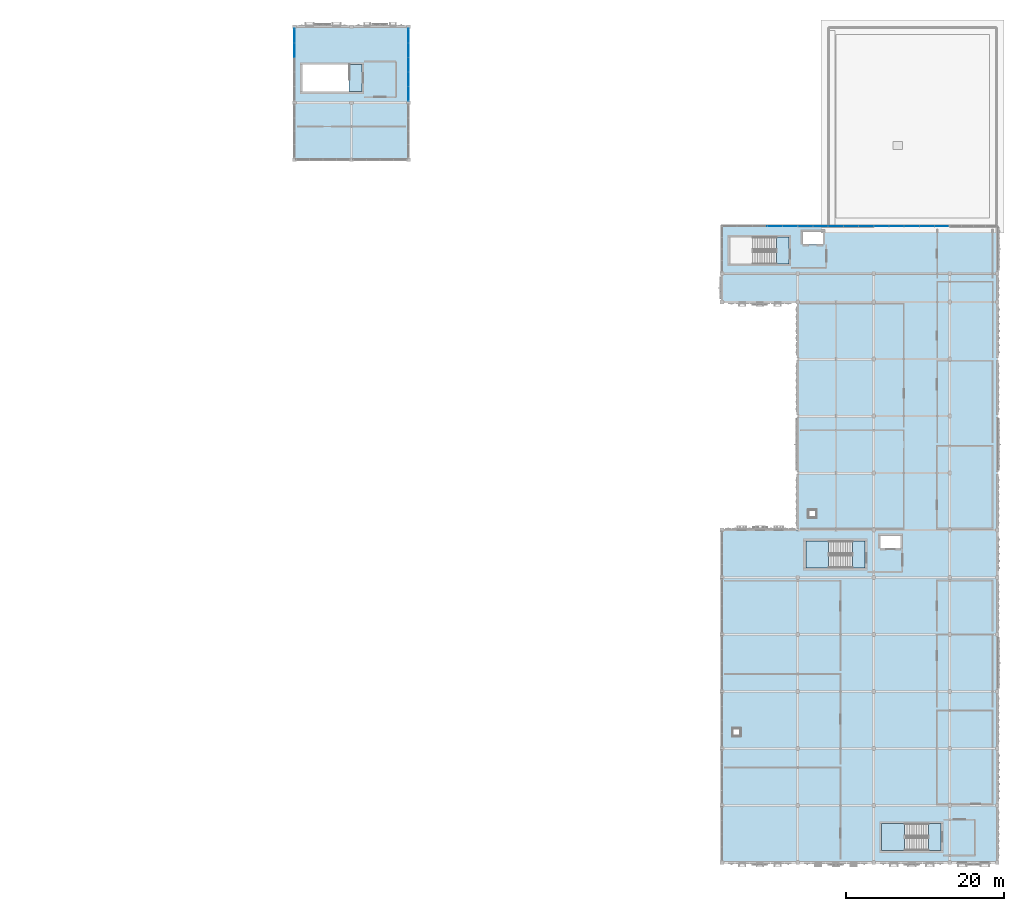
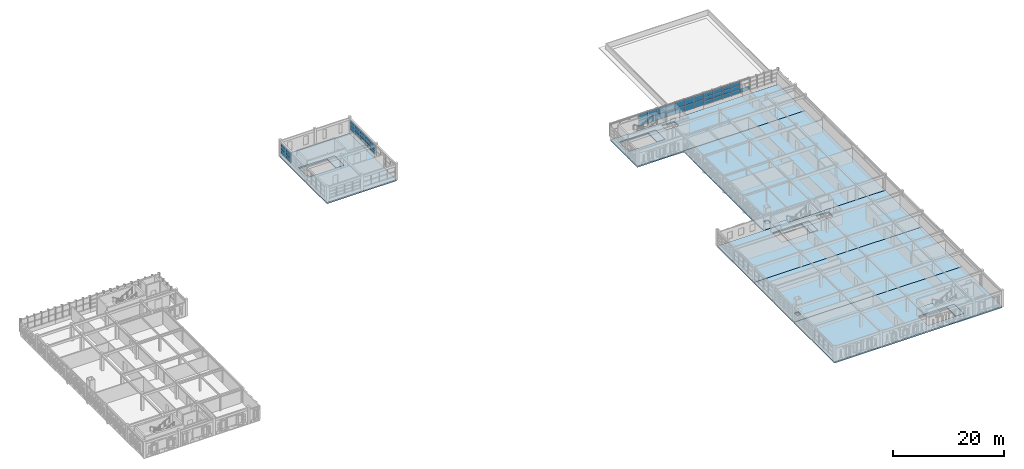
# One storey, part 22 of 53: 48 plates, 12 slabs, 7 elements without a shape of their own.
"""IFC4 building model written with IfcOpenShell, lengths in metres."""

from ifc_helpers import new_model, si_unit, direction, frame, origin, origin_2d, place, context, subcontext, project, spatial, polyline, rectangle, outline, extrude, material, layer, layer_set, type_object, element, aggregate, save


model = new_model("IFC4")

# Units and contexts
model_context = context("Model", 3, precision=1e-05, world=origin(), true_north=direction((0.0, 1.0)))
body_context = subcontext(model_context, "Body", "Model", "MODEL_VIEW")
ifc_project = project(units=[si_unit("LENGTHUNIT", "METRE"), si_unit("AREAUNIT", "SQUARE_METRE"), si_unit("VOLUMEUNIT", "CUBIC_METRE"), si_unit("PLANEANGLEUNIT", "RADIAN"), si_unit("MASSUNIT", "GRAM", prefix="KILO")], contexts=[model_context])

# Site, building, storey
site_placement = place(None, origin())
site = spatial("IfcSite", under=ifc_project, at=site_placement, CompositionType="ELEMENT")
building_placement = place(site_placement, origin())
building = spatial("IfcBuilding", under=site, at=building_placement, Name="Nzembalo Square Collegiate School", CompositionType="ELEMENT")
storey_placement = place(building_placement, frame((0.0, 0.0, 13.60009765625)))
storey = spatial("IfcBuildingStorey", under=building, at=storey_placement, Name="L03", CompositionType="ELEMENT", Elevation=13.60009765625)

# Curtain wall, plates
ifc_material_1 = material(Name="Aluminium 6060-T66", Category="aluminium")
curtain_wall_type_1 = type_object("IfcCurtainWallType", Name="CW-09", PredefinedType="USERDEFINED", material=ifc_material_1)
curtain_wall_1_placement = place(storey_placement, origin())
curtain_wall_1 = element("IfcCurtainWall", 1, at=curtain_wall_1_placement, inside=storey, type_object=curtain_wall_type_1, Name="Curtain wall CW-09 cw:L03:124", ObjectType="UNITISED", PredefinedType="USERDEFINED")
ifc_material_2 = material(Name="Laminated solar-control double glazing", Category="glass")
ifc_layer_1 = layer(ifc_material_2, 0.028076171875, Name="Laminated solar-control double glazing")
ifc_layer_set_1 = layer_set([ifc_layer_1], Name="Laminated solar-control double glazing")
plate_type_1 = type_object("IfcPlateType", Name="PN01", PredefinedType="CURTAIN_PANEL", material=ifc_layer_set_1)
plate_1_placement = place(storey_placement, frame((150.9599609375, 88.800048828125, 0.85400390625), z_axis=(0.0, 0.0, 1.0), x_axis=(1.0, 0.0, 0.0)))
plate_1 = element("IfcPlate", 2, at=plate_1_placement, type_object=plate_type_1, Name="PN01 glazed panel 1-1", PredefinedType="CURTAIN_PANEL", context=body_context, shape_type="SweptSolid", body=[
    extrude(rectangle(XDim=1.912109375, YDim=0.028076171875, at=origin_2d()), origin(), (0.0, 0.0, 1.0), 0.853271484375),
])
plate_2_placement = place(storey_placement, frame((152.8798828125, 88.800048828125, 0.85400390625), z_axis=(0.0, 0.0, 1.0), x_axis=(1.0, 0.0, 0.0)))
plate_2 = element("IfcPlate", 3, at=plate_2_placement, type_object=plate_type_1, Name="PN01 glazed panel 1-2", PredefinedType="CURTAIN_PANEL", context=body_context, shape_type="SweptSolid", body=[
    extrude(rectangle(XDim=1.912109375, YDim=0.028076171875, at=origin_2d()), origin(), (0.0, 0.0, 1.0), 0.853271484375),
])
plate_3_placement = place(storey_placement, frame((154.800048828125, 88.800048828125, 0.85400390625), z_axis=(0.0, 0.0, 1.0), x_axis=(1.0, 0.0, 0.0)))
plate_3 = element("IfcPlate", 4, at=plate_3_placement, type_object=plate_type_1, Name="PN01 glazed panel 1-3", PredefinedType="CURTAIN_PANEL", context=body_context, shape_type="SweptSolid", body=[
    extrude(rectangle(XDim=1.912109375, YDim=0.028076171875, at=origin_2d()), origin(), (0.0, 0.0, 1.0), 0.853271484375),
])
plate_4_placement = place(storey_placement, frame((156.719970703125, 88.800048828125, 0.85400390625), z_axis=(0.0, 0.0, 1.0), x_axis=(1.0, 0.0, 0.0)))
plate_4 = element("IfcPlate", 5, at=plate_4_placement, type_object=plate_type_1, Name="PN01 glazed panel 1-4", PredefinedType="CURTAIN_PANEL", context=body_context, shape_type="SweptSolid", body=[
    extrude(rectangle(XDim=1.912109375, YDim=0.028076171875, at=origin_2d()), origin(), (0.0, 0.0, 1.0), 0.853271484375),
])
plate_5_placement = place(storey_placement, frame((158.639892578125, 88.800048828125, 0.85400390625), z_axis=(0.0, 0.0, 1.0), x_axis=(1.0, 0.0, 0.0)))
plate_5 = element("IfcPlate", 6, at=plate_5_placement, type_object=plate_type_1, Name="PN01 glazed panel 1-5", PredefinedType="CURTAIN_PANEL", context=body_context, shape_type="SweptSolid", body=[
    extrude(rectangle(XDim=1.912109375, YDim=0.028076171875, at=origin_2d()), origin(), (0.0, 0.0, 1.0), 0.853271484375),
])
plate_6_placement = place(storey_placement, frame((150.9599609375, 88.800048828125, 1.71533203125), z_axis=(0.0, 0.0, 1.0), x_axis=(1.0, 0.0, 0.0)))
plate_6 = element("IfcPlate", 7, at=plate_6_placement, type_object=plate_type_1, Name="PN01 glazed panel 2-1", PredefinedType="CURTAIN_PANEL", context=body_context, shape_type="SweptSolid", body=[
    extrude(rectangle(XDim=1.912109375, YDim=0.028076171875, at=origin_2d()), origin(), (0.0, 0.0, 1.0), 0.853271484375),
])
plate_7_placement = place(storey_placement, frame((152.8798828125, 88.800048828125, 1.71533203125), z_axis=(0.0, 0.0, 1.0), x_axis=(1.0, 0.0, 0.0)))
plate_7 = element("IfcPlate", 8, at=plate_7_placement, type_object=plate_type_1, Name="PN01 glazed panel 2-2", PredefinedType="CURTAIN_PANEL", context=body_context, shape_type="SweptSolid", body=[
    extrude(rectangle(XDim=1.912109375, YDim=0.028076171875, at=origin_2d()), origin(), (0.0, 0.0, 1.0), 0.853271484375),
])
plate_8_placement = place(storey_placement, frame((154.800048828125, 88.800048828125, 1.71533203125), z_axis=(0.0, 0.0, 1.0), x_axis=(1.0, 0.0, 0.0)))
plate_8 = element("IfcPlate", 9, at=plate_8_placement, type_object=plate_type_1, Name="PN01 glazed panel 2-3", PredefinedType="CURTAIN_PANEL", context=body_context, shape_type="SweptSolid", body=[
    extrude(rectangle(XDim=1.912109375, YDim=0.028076171875, at=origin_2d()), origin(), (0.0, 0.0, 1.0), 0.853271484375),
])
plate_9_placement = place(storey_placement, frame((156.719970703125, 88.800048828125, 1.71533203125), z_axis=(0.0, 0.0, 1.0), x_axis=(1.0, 0.0, 0.0)))
plate_9 = element("IfcPlate", 10, at=plate_9_placement, type_object=plate_type_1, Name="PN01 glazed panel 2-4", PredefinedType="CURTAIN_PANEL", context=body_context, shape_type="SweptSolid", body=[
    extrude(rectangle(XDim=1.912109375, YDim=0.028076171875, at=origin_2d()), origin(), (0.0, 0.0, 1.0), 0.853271484375),
])
plate_10_placement = place(storey_placement, frame((150.9599609375, 88.800048828125, 2.57666015625), z_axis=(0.0, 0.0, 1.0), x_axis=(1.0, 0.0, 0.0)))
plate_10 = element("IfcPlate", 11, at=plate_10_placement, type_object=plate_type_1, Name="PN01 glazed panel 3-1", PredefinedType="CURTAIN_PANEL", context=body_context, shape_type="SweptSolid", body=[
    extrude(rectangle(XDim=1.912109375, YDim=0.028076171875, at=origin_2d()), origin(), (0.0, 0.0, 1.0), 0.853271484375),
])
plate_11_placement = place(storey_placement, frame((152.8798828125, 88.800048828125, 2.57666015625), z_axis=(0.0, 0.0, 1.0), x_axis=(1.0, 0.0, 0.0)))
plate_11 = element("IfcPlate", 12, at=plate_11_placement, type_object=plate_type_1, Name="PN01 glazed panel 3-2", PredefinedType="CURTAIN_PANEL", context=body_context, shape_type="SweptSolid", body=[
    extrude(rectangle(XDim=1.912109375, YDim=0.028076171875, at=origin_2d()), origin(), (0.0, 0.0, 1.0), 0.853271484375),
])
plate_12_placement = place(storey_placement, frame((154.800048828125, 88.800048828125, 2.57666015625), z_axis=(0.0, 0.0, 1.0), x_axis=(1.0, 0.0, 0.0)))
plate_12 = element("IfcPlate", 13, at=plate_12_placement, type_object=plate_type_1, Name="PN01 glazed panel 3-3", PredefinedType="CURTAIN_PANEL", context=body_context, shape_type="SweptSolid", body=[
    extrude(rectangle(XDim=1.912109375, YDim=0.028076171875, at=origin_2d()), origin(), (0.0, 0.0, 1.0), 0.853271484375),
])
plate_13_placement = place(storey_placement, frame((156.719970703125, 88.800048828125, 2.57666015625), z_axis=(0.0, 0.0, 1.0), x_axis=(1.0, 0.0, 0.0)))
plate_13 = element("IfcPlate", 14, at=plate_13_placement, type_object=plate_type_1, Name="PN01 glazed panel 3-4", PredefinedType="CURTAIN_PANEL", context=body_context, shape_type="SweptSolid", body=[
    extrude(rectangle(XDim=1.912109375, YDim=0.028076171875, at=origin_2d()), origin(), (0.0, 0.0, 1.0), 0.853271484375),
])
aggregate(curtain_wall_1, [plate_1, plate_2, plate_3, plate_4, plate_5, plate_6, plate_7, plate_8, plate_9, plate_10, plate_11, plate_12, plate_13])

curtain_wall_2_placement = place(storey_placement, origin())
curtain_wall_2 = element("IfcCurtainWall", 15, at=curtain_wall_2_placement, inside=storey, type_object=curtain_wall_type_1, Name="Curtain wall CW-09 cw:L03:132", ObjectType="UNITISED", PredefinedType="USERDEFINED")
plate_14_placement = place(storey_placement, frame((91.199951171875, 105.5537109375, 0.85400390625), z_axis=(0.0, 0.0, 1.0), x_axis=(0.0, 1.0, 0.0)))
plate_14 = element("IfcPlate", 16, at=plate_14_placement, type_object=plate_type_1, Name="PN01 glazed panel 1-1", PredefinedType="CURTAIN_PANEL", context=body_context, shape_type="SweptSolid", body=[
    extrude(rectangle(XDim=1.815185546875, YDim=0.028076171875, at=origin_2d()), origin(), (0.0, 0.0, 1.0), 0.6982421875),
])
plate_15_placement = place(storey_placement, frame((91.199951171875, 107.376708984375, 0.85400390625), z_axis=(0.0, 0.0, 1.0), x_axis=(0.0, 1.0, 0.0)))
plate_15 = element("IfcPlate", 17, at=plate_15_placement, type_object=plate_type_1, Name="PN01 glazed panel 1-2", PredefinedType="CURTAIN_PANEL", context=body_context, shape_type="SweptSolid", body=[
    extrude(rectangle(XDim=1.815185546875, YDim=0.028076171875, at=origin_2d()), origin(), (0.0, 0.0, 1.0), 0.6982421875),
])
plate_16_placement = place(storey_placement, frame((91.199951171875, 109.199951171875, 0.85400390625), z_axis=(0.0, 0.0, 1.0), x_axis=(0.0, 1.0, 0.0)))
plate_16 = element("IfcPlate", 18, at=plate_16_placement, type_object=plate_type_1, Name="PN01 glazed panel 1-3", PredefinedType="CURTAIN_PANEL", context=body_context, shape_type="SweptSolid", body=[
    extrude(rectangle(XDim=1.815185546875, YDim=0.028076171875, at=origin_2d()), origin(), (0.0, 0.0, 1.0), 0.6982421875),
])
plate_17_placement = place(storey_placement, frame((91.199951171875, 111.023193359375, 0.85400390625), z_axis=(0.0, 0.0, 1.0), x_axis=(0.0, 1.0, 0.0)))
plate_17 = element("IfcPlate", 19, at=plate_17_placement, type_object=plate_type_1, Name="PN01 glazed panel 1-4", PredefinedType="CURTAIN_PANEL", context=body_context, shape_type="SweptSolid", body=[
    extrude(rectangle(XDim=1.815185546875, YDim=0.028076171875, at=origin_2d()), origin(), (0.0, 0.0, 1.0), 0.6982421875),
])
plate_18_placement = place(storey_placement, frame((91.199951171875, 112.846435546875, 0.85400390625), z_axis=(0.0, 0.0, 1.0), x_axis=(0.0, 1.0, 0.0)))
plate_18 = element("IfcPlate", 20, at=plate_18_placement, type_object=plate_type_1, Name="PN01 glazed panel 1-5", PredefinedType="CURTAIN_PANEL", context=body_context, shape_type="SweptSolid", body=[
    extrude(rectangle(XDim=1.815185546875, YDim=0.028076171875, at=origin_2d()), origin(), (0.0, 0.0, 1.0), 0.6982421875),
])
plate_19_placement = place(storey_placement, frame((91.199951171875, 105.5537109375, 1.560302734375), z_axis=(0.0, 0.0, 1.0), x_axis=(0.0, 1.0, 0.0)))
plate_19 = element("IfcPlate", 21, at=plate_19_placement, type_object=plate_type_1, Name="PN01 glazed panel 2-1", PredefinedType="CURTAIN_PANEL", context=body_context, shape_type="SweptSolid", body=[
    extrude(rectangle(XDim=1.815185546875, YDim=0.028076171875, at=origin_2d()), origin(), (0.0, 0.0, 1.0), 0.6982421875),
])
plate_20_placement = place(storey_placement, frame((91.199951171875, 107.376708984375, 1.560302734375), z_axis=(0.0, 0.0, 1.0), x_axis=(0.0, 1.0, 0.0)))
plate_20 = element("IfcPlate", 22, at=plate_20_placement, type_object=plate_type_1, Name="PN01 glazed panel 2-2", PredefinedType="CURTAIN_PANEL", context=body_context, shape_type="SweptSolid", body=[
    extrude(rectangle(XDim=1.815185546875, YDim=0.028076171875, at=origin_2d()), origin(), (0.0, 0.0, 1.0), 0.6982421875),
])
plate_21_placement = place(storey_placement, frame((91.199951171875, 109.199951171875, 1.560302734375), z_axis=(0.0, 0.0, 1.0), x_axis=(0.0, 1.0, 0.0)))
plate_21 = element("IfcPlate", 23, at=plate_21_placement, type_object=plate_type_1, Name="PN01 glazed panel 2-3", PredefinedType="CURTAIN_PANEL", context=body_context, shape_type="SweptSolid", body=[
    extrude(rectangle(XDim=1.815185546875, YDim=0.028076171875, at=origin_2d()), origin(), (0.0, 0.0, 1.0), 0.6982421875),
])
plate_22_placement = place(storey_placement, frame((91.199951171875, 111.023193359375, 1.560302734375), z_axis=(0.0, 0.0, 1.0), x_axis=(0.0, 1.0, 0.0)))
plate_22 = element("IfcPlate", 24, at=plate_22_placement, type_object=plate_type_1, Name="PN01 glazed panel 2-4", PredefinedType="CURTAIN_PANEL", context=body_context, shape_type="SweptSolid", body=[
    extrude(rectangle(XDim=1.815185546875, YDim=0.028076171875, at=origin_2d()), origin(), (0.0, 0.0, 1.0), 0.6982421875),
])
plate_23_placement = place(storey_placement, frame((91.199951171875, 112.846435546875, 1.560302734375), z_axis=(0.0, 0.0, 1.0), x_axis=(0.0, 1.0, 0.0)))
plate_23 = element("IfcPlate", 25, at=plate_23_placement, type_object=plate_type_1, Name="PN01 glazed panel 2-5", PredefinedType="CURTAIN_PANEL", context=body_context, shape_type="SweptSolid", body=[
    extrude(rectangle(XDim=1.815185546875, YDim=0.028076171875, at=origin_2d()), origin(), (0.0, 0.0, 1.0), 0.6982421875),
])
plate_24_placement = place(storey_placement, frame((91.199951171875, 105.5537109375, 2.2666015625), z_axis=(0.0, 0.0, 1.0), x_axis=(0.0, 1.0, 0.0)))
plate_24 = element("IfcPlate", 26, at=plate_24_placement, type_object=plate_type_1, Name="PN01 glazed panel 3-1", PredefinedType="CURTAIN_PANEL", context=body_context, shape_type="SweptSolid", body=[
    extrude(rectangle(XDim=1.815185546875, YDim=0.028076171875, at=origin_2d()), origin(), (0.0, 0.0, 1.0), 0.6982421875),
])
plate_25_placement = place(storey_placement, frame((91.199951171875, 107.376708984375, 2.2666015625), z_axis=(0.0, 0.0, 1.0), x_axis=(0.0, 1.0, 0.0)))
plate_25 = element("IfcPlate", 27, at=plate_25_placement, type_object=plate_type_1, Name="PN01 glazed panel 3-2", PredefinedType="CURTAIN_PANEL", context=body_context, shape_type="SweptSolid", body=[
    extrude(rectangle(XDim=1.815185546875, YDim=0.028076171875, at=origin_2d()), origin(), (0.0, 0.0, 1.0), 0.6982421875),
])
plate_26_placement = place(storey_placement, frame((91.199951171875, 109.199951171875, 2.2666015625), z_axis=(0.0, 0.0, 1.0), x_axis=(0.0, 1.0, 0.0)))
plate_26 = element("IfcPlate", 28, at=plate_26_placement, type_object=plate_type_1, Name="PN01 glazed panel 3-3", PredefinedType="CURTAIN_PANEL", context=body_context, shape_type="SweptSolid", body=[
    extrude(rectangle(XDim=1.815185546875, YDim=0.028076171875, at=origin_2d()), origin(), (0.0, 0.0, 1.0), 0.6982421875),
])
plate_27_placement = place(storey_placement, frame((91.199951171875, 111.023193359375, 2.2666015625), z_axis=(0.0, 0.0, 1.0), x_axis=(0.0, 1.0, 0.0)))
plate_27 = element("IfcPlate", 29, at=plate_27_placement, type_object=plate_type_1, Name="PN01 glazed panel 3-4", PredefinedType="CURTAIN_PANEL", context=body_context, shape_type="SweptSolid", body=[
    extrude(rectangle(XDim=1.815185546875, YDim=0.028076171875, at=origin_2d()), origin(), (0.0, 0.0, 1.0), 0.6982421875),
])
plate_28_placement = place(storey_placement, frame((91.199951171875, 112.846435546875, 2.2666015625), z_axis=(0.0, 0.0, 1.0), x_axis=(0.0, 1.0, 0.0)))
plate_28 = element("IfcPlate", 30, at=plate_28_placement, type_object=plate_type_1, Name="PN01 glazed panel 3-5", PredefinedType="CURTAIN_PANEL", context=body_context, shape_type="SweptSolid", body=[
    extrude(rectangle(XDim=1.815185546875, YDim=0.028076171875, at=origin_2d()), origin(), (0.0, 0.0, 1.0), 0.6982421875),
])
aggregate(curtain_wall_2, [plate_14, plate_15, plate_16, plate_17, plate_18, plate_19, plate_20, plate_21, plate_22, plate_23, plate_24, plate_25, plate_26, plate_27, plate_28])

curtain_wall_3_placement = place(storey_placement, origin())
curtain_wall_3 = element("IfcCurtainWall", 31, at=curtain_wall_3_placement, inside=storey, type_object=curtain_wall_type_1, Name="Curtain wall CW-09 cw:L03:136", ObjectType="UNITISED", PredefinedType="USERDEFINED")
plate_29_placement = place(storey_placement, frame((76.800048828125, 111.023193359375, 0.85400390625), z_axis=(0.0, 0.0, 1.0), x_axis=(0.0, 1.0, 0.0)))
plate_29 = element("IfcPlate", 32, at=plate_29_placement, type_object=plate_type_1, Name="PN01 glazed panel 1-4", PredefinedType="CURTAIN_PANEL", context=body_context, shape_type="SweptSolid", body=[
    extrude(rectangle(XDim=1.815185546875, YDim=0.028076171875, at=origin_2d()), origin(), (0.0, 0.0, 1.0), 0.6982421875),
])
plate_30_placement = place(storey_placement, frame((76.800048828125, 112.846435546875, 0.85400390625), z_axis=(0.0, 0.0, 1.0), x_axis=(0.0, 1.0, 0.0)))
plate_30 = element("IfcPlate", 33, at=plate_30_placement, type_object=plate_type_1, Name="PN01 glazed panel 1-5", PredefinedType="CURTAIN_PANEL", context=body_context, shape_type="SweptSolid", body=[
    extrude(rectangle(XDim=1.815185546875, YDim=0.028076171875, at=origin_2d()), origin(), (0.0, 0.0, 1.0), 0.6982421875),
])
plate_31_placement = place(storey_placement, frame((76.800048828125, 111.023193359375, 1.560302734375), z_axis=(0.0, 0.0, 1.0), x_axis=(0.0, 1.0, 0.0)))
plate_31 = element("IfcPlate", 34, at=plate_31_placement, type_object=plate_type_1, Name="PN01 glazed panel 2-4", PredefinedType="CURTAIN_PANEL", context=body_context, shape_type="SweptSolid", body=[
    extrude(rectangle(XDim=1.815185546875, YDim=0.028076171875, at=origin_2d()), origin(), (0.0, 0.0, 1.0), 0.6982421875),
])
plate_32_placement = place(storey_placement, frame((76.800048828125, 112.846435546875, 1.560302734375), z_axis=(0.0, 0.0, 1.0), x_axis=(0.0, 1.0, 0.0)))
plate_32 = element("IfcPlate", 35, at=plate_32_placement, type_object=plate_type_1, Name="PN01 glazed panel 2-5", PredefinedType="CURTAIN_PANEL", context=body_context, shape_type="SweptSolid", body=[
    extrude(rectangle(XDim=1.815185546875, YDim=0.028076171875, at=origin_2d()), origin(), (0.0, 0.0, 1.0), 0.6982421875),
])
plate_33_placement = place(storey_placement, frame((76.800048828125, 111.023193359375, 2.2666015625), z_axis=(0.0, 0.0, 1.0), x_axis=(0.0, 1.0, 0.0)))
plate_33 = element("IfcPlate", 36, at=plate_33_placement, type_object=plate_type_1, Name="PN01 glazed panel 3-4", PredefinedType="CURTAIN_PANEL", context=body_context, shape_type="SweptSolid", body=[
    extrude(rectangle(XDim=1.815185546875, YDim=0.028076171875, at=origin_2d()), origin(), (0.0, 0.0, 1.0), 0.6982421875),
])
plate_34_placement = place(storey_placement, frame((76.800048828125, 112.846435546875, 2.2666015625), z_axis=(0.0, 0.0, 1.0), x_axis=(0.0, 1.0, 0.0)))
plate_34 = element("IfcPlate", 37, at=plate_34_placement, type_object=plate_type_1, Name="PN01 glazed panel 3-5", PredefinedType="CURTAIN_PANEL", context=body_context, shape_type="SweptSolid", body=[
    extrude(rectangle(XDim=1.815185546875, YDim=0.028076171875, at=origin_2d()), origin(), (0.0, 0.0, 1.0), 0.6982421875),
])
aggregate(curtain_wall_3, [plate_29, plate_30, plate_31, plate_32, plate_33, plate_34])

ifc_material_3 = material(Name="Aluminium 6060-T66", Category="aluminium")
curtain_wall_type_2 = type_object("IfcCurtainWallType", Name="CW-11", PredefinedType="USERDEFINED", material=ifc_material_3)
curtain_wall_4_placement = place(storey_placement, origin())
curtain_wall_4 = element("IfcCurtainWall", 38, at=curtain_wall_4_placement, inside=storey, type_object=curtain_wall_type_2, Name="Curtain wall CW-11 cw:L03:122", ObjectType="LANCET", PredefinedType="USERDEFINED")
ifc_material_4 = material(Name="Acoustic laminated solar-control glazing", Category="glass")
ifc_layer_2 = layer(ifc_material_4, 0.031982421875, Name="Acoustic laminated solar-control glazing")
ifc_layer_set_2 = layer_set([ifc_layer_2], Name="Acoustic laminated solar-control glazing")
plate_type_2 = type_object("IfcPlateType", Name="PN02", PredefinedType="CURTAIN_PANEL", material=ifc_layer_set_2)
plate_35_placement = place(storey_placement, frame((137.52001953125, 88.800048828125, 0.85400390625), z_axis=(0.0, 0.0, 1.0), x_axis=(1.0, 0.0, 0.0)))
plate_35 = element("IfcPlate", 39, at=plate_35_placement, type_object=plate_type_2, Name="PN02 glazed panel 1-4", PredefinedType="CURTAIN_PANEL", context=body_context, shape_type="SweptSolid", body=[
    extrude(rectangle(XDim=1.912109375, YDim=0.031982421875, at=origin_2d()), origin(), (0.0, 0.0, 1.0), 1.283935546875),
])
plate_36_placement = place(storey_placement, frame((139.43994140625, 88.800048828125, 0.85400390625), z_axis=(0.0, 0.0, 1.0), x_axis=(1.0, 0.0, 0.0)))
plate_36 = element("IfcPlate", 40, at=plate_36_placement, type_object=plate_type_2, Name="PN02 glazed panel 1-5", PredefinedType="CURTAIN_PANEL", context=body_context, shape_type="SweptSolid", body=[
    extrude(rectangle(XDim=1.912109375, YDim=0.031982421875, at=origin_2d()), origin(), (0.0, 0.0, 1.0), 1.283935546875),
])
plate_37_placement = place(storey_placement, frame((137.52001953125, 88.800048828125, 2.14599609375), z_axis=(0.0, 0.0, 1.0), x_axis=(1.0, 0.0, 0.0)))
plate_37 = element("IfcPlate", 41, at=plate_37_placement, type_object=plate_type_2, Name="PN02 glazed panel 2-4", PredefinedType="CURTAIN_PANEL", context=body_context, shape_type="SweptSolid", body=[
    extrude(rectangle(XDim=1.912109375, YDim=0.031982421875, at=origin_2d()), origin(), (0.0, 0.0, 1.0), 1.283935546875),
])
plate_38_placement = place(storey_placement, frame((139.43994140625, 88.800048828125, 2.14599609375), z_axis=(0.0, 0.0, 1.0), x_axis=(1.0, 0.0, 0.0)))
plate_38 = element("IfcPlate", 42, at=plate_38_placement, type_object=plate_type_2, Name="PN02 glazed panel 2-5", PredefinedType="CURTAIN_PANEL", context=body_context, shape_type="SweptSolid", body=[
    extrude(rectangle(XDim=1.912109375, YDim=0.031982421875, at=origin_2d()), origin(), (0.0, 0.0, 1.0), 1.283935546875),
])
aggregate(curtain_wall_4, [plate_35, plate_36, plate_37, plate_38])

ifc_material_5 = material(Name="Aluminium 6060-T66", Category="aluminium")
curtain_wall_type_3 = type_object("IfcCurtainWallType", Name="CW-12", PredefinedType="USERDEFINED", material=ifc_material_5)
curtain_wall_5_placement = place(storey_placement, origin())
curtain_wall_5 = element("IfcCurtainWall", 43, at=curtain_wall_5_placement, inside=storey, type_object=curtain_wall_type_3, Name="Curtain wall CW-12 cw:L03:123", ObjectType="LANCET", PredefinedType="USERDEFINED")
plate_39_placement = place(storey_placement, frame((141.360107421875, 88.800048828125, 0.85400390625), z_axis=(0.0, 0.0, 1.0), x_axis=(1.0, 0.0, 0.0)))
plate_39 = element("IfcPlate", 44, at=plate_39_placement, type_object=plate_type_2, Name="PN02 glazed panel 1-1", PredefinedType="CURTAIN_PANEL", context=body_context, shape_type="SweptSolid", body=[
    extrude(rectangle(XDim=1.912109375, YDim=0.031982421875, at=origin_2d()), origin(), (0.0, 0.0, 1.0), 1.283935546875),
])
plate_40_placement = place(storey_placement, frame((143.280029296875, 88.800048828125, 0.85400390625), z_axis=(0.0, 0.0, 1.0), x_axis=(1.0, 0.0, 0.0)))
plate_40 = element("IfcPlate", 45, at=plate_40_placement, type_object=plate_type_2, Name="PN02 glazed panel 1-2", PredefinedType="CURTAIN_PANEL", context=body_context, shape_type="SweptSolid", body=[
    extrude(rectangle(XDim=1.912109375, YDim=0.031982421875, at=origin_2d()), origin(), (0.0, 0.0, 1.0), 1.283935546875),
])
plate_41_placement = place(storey_placement, frame((145.199951171875, 88.800048828125, 0.85400390625), z_axis=(0.0, 0.0, 1.0), x_axis=(1.0, 0.0, 0.0)))
plate_41 = element("IfcPlate", 46, at=plate_41_placement, type_object=plate_type_2, Name="PN02 glazed panel 1-3", PredefinedType="CURTAIN_PANEL", context=body_context, shape_type="SweptSolid", body=[
    extrude(rectangle(XDim=1.912109375, YDim=0.031982421875, at=origin_2d()), origin(), (0.0, 0.0, 1.0), 1.283935546875),
])
plate_42_placement = place(storey_placement, frame((147.1201171875, 88.800048828125, 0.85400390625), z_axis=(0.0, 0.0, 1.0), x_axis=(1.0, 0.0, 0.0)))
plate_42 = element("IfcPlate", 47, at=plate_42_placement, type_object=plate_type_2, Name="PN02 glazed panel 1-4", PredefinedType="CURTAIN_PANEL", context=body_context, shape_type="SweptSolid", body=[
    extrude(rectangle(XDim=1.912109375, YDim=0.031982421875, at=origin_2d()), origin(), (0.0, 0.0, 1.0), 1.283935546875),
])
plate_43_placement = place(storey_placement, frame((149.0400390625, 88.800048828125, 0.85400390625), z_axis=(0.0, 0.0, 1.0), x_axis=(1.0, 0.0, 0.0)))
plate_43 = element("IfcPlate", 48, at=plate_43_placement, type_object=plate_type_2, Name="PN02 glazed panel 1-5", PredefinedType="CURTAIN_PANEL", context=body_context, shape_type="SweptSolid", body=[
    extrude(rectangle(XDim=1.912109375, YDim=0.031982421875, at=origin_2d()), origin(), (0.0, 0.0, 1.0), 1.283935546875),
])
plate_44_placement = place(storey_placement, frame((141.360107421875, 88.800048828125, 2.14599609375), z_axis=(0.0, 0.0, 1.0), x_axis=(1.0, 0.0, 0.0)))
plate_44 = element("IfcPlate", 49, at=plate_44_placement, type_object=plate_type_2, Name="PN02 glazed panel 2-1", PredefinedType="CURTAIN_PANEL", context=body_context, shape_type="SweptSolid", body=[
    extrude(rectangle(XDim=1.912109375, YDim=0.031982421875, at=origin_2d()), origin(), (0.0, 0.0, 1.0), 1.283935546875),
])
plate_45_placement = place(storey_placement, frame((143.280029296875, 88.800048828125, 2.14599609375), z_axis=(0.0, 0.0, 1.0), x_axis=(1.0, 0.0, 0.0)))
plate_45 = element("IfcPlate", 50, at=plate_45_placement, type_object=plate_type_2, Name="PN02 glazed panel 2-2", PredefinedType="CURTAIN_PANEL", context=body_context, shape_type="SweptSolid", body=[
    extrude(rectangle(XDim=1.912109375, YDim=0.031982421875, at=origin_2d()), origin(), (0.0, 0.0, 1.0), 1.283935546875),
])
plate_46_placement = place(storey_placement, frame((145.199951171875, 88.800048828125, 2.14599609375), z_axis=(0.0, 0.0, 1.0), x_axis=(1.0, 0.0, 0.0)))
plate_46 = element("IfcPlate", 51, at=plate_46_placement, type_object=plate_type_2, Name="PN02 glazed panel 2-3", PredefinedType="CURTAIN_PANEL", context=body_context, shape_type="SweptSolid", body=[
    extrude(rectangle(XDim=1.912109375, YDim=0.031982421875, at=origin_2d()), origin(), (0.0, 0.0, 1.0), 1.283935546875),
])
plate_47_placement = place(storey_placement, frame((147.1201171875, 88.800048828125, 2.14599609375), z_axis=(0.0, 0.0, 1.0), x_axis=(1.0, 0.0, 0.0)))
plate_47 = element("IfcPlate", 52, at=plate_47_placement, type_object=plate_type_2, Name="PN02 glazed panel 2-4", PredefinedType="CURTAIN_PANEL", context=body_context, shape_type="SweptSolid", body=[
    extrude(rectangle(XDim=1.912109375, YDim=0.031982421875, at=origin_2d()), origin(), (0.0, 0.0, 1.0), 1.283935546875),
])
plate_48_placement = place(storey_placement, frame((149.0400390625, 88.800048828125, 2.14599609375), z_axis=(0.0, 0.0, 1.0), x_axis=(1.0, 0.0, 0.0)))
plate_48 = element("IfcPlate", 53, at=plate_48_placement, type_object=plate_type_2, Name="PN02 glazed panel 2-5", PredefinedType="CURTAIN_PANEL", context=body_context, shape_type="SweptSolid", body=[
    extrude(rectangle(XDim=1.912109375, YDim=0.031982421875, at=origin_2d()), origin(), (0.0, 0.0, 1.0), 1.283935546875),
])
aggregate(curtain_wall_5, [plate_39, plate_40, plate_41, plate_42, plate_43, plate_44, plate_45, plate_46, plate_47, plate_48])

# Stair, slab
ifc_material_6 = material(Name="Precast concrete C40/50", Category="concrete")
stair_type = type_object("IfcStairType", Name="ST-22R", PredefinedType="HALF_TURN_STAIR", material=ifc_material_6)
stair_1_placement = place(storey_placement, origin())
stair_1 = element("IfcStair", 54, at=stair_1_placement, inside=storey, type_object=stair_type, Name="Escape stair ST-22 (C5 L03)", PredefinedType="HALF_TURN_STAIR")
ifc_material_7 = material(Name="Precast concrete C40/50", Category="concrete")
ifc_layer_3 = layer(ifc_material_7, 0.199951171875, Name="Precast concrete C40/50")
ifc_layer_set_3 = layer_set([ifc_layer_3], Name="Precast concrete C40/50")
slab_type_1 = type_object("IfcSlabType", Name="SL-LDG", PredefinedType="LANDING", material=ifc_layer_set_3)
slab_1_placement = place(storey_placement, frame((0.0, 0.0, 1.669921875)))
slab_1 = element("IfcSlab", 55, at=slab_1_placement, type_object=slab_type_1, Name="ST-22 landing 1", PredefinedType="LANDING", context=body_context, shape_type="SweptSolid", body=[
    extrude(outline(polyline([(144.300048828125, 49.0), (141.39990234375, 49.0), (141.39990234375, 45.60009765625), (144.300048828125, 45.60009765625), (144.300048828125, 49.0)])), origin(), (0.0, 0.0, 1.0), 0.199951171875),
])
aggregate(stair_1, [slab_1])

stair_2_placement = place(storey_placement, origin())
stair_2 = element("IfcStair", 56, at=stair_2_placement, inside=storey, type_object=stair_type, Name="Escape stair ST-27 (C6 L03)", PredefinedType="HALF_TURN_STAIR")
slab_2_placement = place(storey_placement, frame((0.0, 0.0, 1.669921875)))
slab_2 = element("IfcSlab", 57, at=slab_2_placement, type_object=slab_type_1, Name="ST-27 landing 1", PredefinedType="LANDING", context=body_context, shape_type="SweptSolid", body=[
    extrude(outline(polyline([(153.89990234375, 13.300048828125), (151.0, 13.300048828125), (151.0, 9.89990234375), (153.89990234375, 9.89990234375), (153.89990234375, 13.300048828125)])), origin(), (0.0, 0.0, 1.0), 0.199951171875),
])
aggregate(stair_2, [slab_2])

# Slabs
ifc_material_8 = material(Name="CLT CL24", Category="wood")
ifc_layer_4 = layer(ifc_material_8, 0.281982421875, Name="CLT CL24")
ifc_layer_set_4 = layer_set([ifc_layer_4], Name="CLT CL24")
slab_type_2 = type_object("IfcSlabType", Name="SL-03", PredefinedType="FLOOR", material=ifc_layer_set_4)
slab_3_placement = place(storey_placement, frame((0.0, 0.0, -0.281982421875)))
element("IfcSlab", 58, at=slab_3_placement, inside=storey, type_object=slab_type_2, Name="Slab SL-L03-68", PredefinedType="FLOOR", context=body_context, shape_type="SweptSolid", body=[
    extrude(outline(polyline([(76.800048828125, 97.199951171875), (91.199951171875, 97.199951171875), (91.199951171875, 114.0), (76.800048828125, 114.0), (76.800048828125, 97.199951171875)]), holes=[polyline([(85.300048828125, 109.199951171875), (77.800048828125, 109.199951171875), (77.800048828125, 105.800048828125), (85.300048828125, 105.800048828125), (85.300048828125, 109.199951171875)])]), origin(), (0.0, 0.0, 1.0), 0.281982421875),
])
slab_4_placement = place(storey_placement, frame((0.0, 0.0, -0.281982421875)))
element("IfcSlab", 59, at=slab_4_placement, inside=storey, type_object=slab_type_2, Name="Slab SL-L03-69", PredefinedType="FLOOR", context=body_context, shape_type="SweptSolid", body=[
    extrude(outline(polyline([(140.39990234375, 50.39990234375), (165.60009765625, 50.39990234375), (165.60009765625, 79.199951171875), (140.39990234375, 79.199951171875), (140.39990234375, 50.39990234375)]), holes=[polyline([(141.800048828125, 52.0), (142.699951171875, 52.0), (142.699951171875, 52.89990234375), (141.800048828125, 52.89990234375), (141.800048828125, 52.0)])]), origin(), (0.0, 0.0, 1.0), 0.281982421875),
])
slab_5_placement = place(storey_placement, frame((0.0, 0.0, -0.281982421875)))
element("IfcSlab", 60, at=slab_5_placement, inside=storey, type_object=slab_type_2, Name="Slab SL-L03-70", PredefinedType="FLOOR", context=body_context, shape_type="SweptSolid", body=[
    extrude(outline(polyline([(130.800048828125, 79.199951171875), (165.60009765625, 79.199951171875), (165.60009765625, 88.800048828125), (130.800048828125, 88.800048828125), (130.800048828125, 79.199951171875)]), holes=[polyline([(141.0, 86.5), (143.60009765625, 86.5), (143.60009765625, 88.10009765625), (141.0, 88.10009765625), (141.0, 86.5)]), polyline([(139.300048828125, 87.39990234375), (131.800048828125, 87.39990234375), (131.800048828125, 84.0), (139.300048828125, 84.0), (139.300048828125, 87.39990234375)])]), origin(), (0.0, 0.0, 1.0), 0.281982421875),
])
slab_6_placement = place(storey_placement, frame((0.0, 0.0, -0.281982421875)))
element("IfcSlab", 61, at=slab_6_placement, inside=storey, type_object=slab_type_2, Name="Core C3 floor landing slab SL-L03-C3", PredefinedType="FLOOR", context=body_context, shape_type="SweptSolid", body=[
    extrude(outline(polyline([(83.699951171875, 105.800048828125), (85.300048828125, 105.800048828125), (85.300048828125, 109.199951171875), (83.699951171875, 109.199951171875), (83.699951171875, 105.800048828125)])), origin(), (0.0, 0.0, 1.0), 0.281982421875),
])
slab_7_placement = place(storey_placement, frame((0.0, 0.0, -0.281982421875)))
element("IfcSlab", 62, at=slab_7_placement, inside=storey, type_object=slab_type_2, Name="Core C4 floor landing slab SL-L03-C4", PredefinedType="FLOOR", context=body_context, shape_type="SweptSolid", body=[
    extrude(outline(polyline([(137.699951171875, 84.0), (139.300048828125, 84.0), (139.300048828125, 87.39990234375), (137.699951171875, 87.39990234375), (137.699951171875, 84.0)])), origin(), (0.0, 0.0, 1.0), 0.281982421875),
])
slab_8_placement = place(storey_placement, frame((0.0, 0.0, -0.281982421875)))
element("IfcSlab", 63, at=slab_8_placement, inside=storey, type_object=slab_type_2, Name="Core C5 floor landing slab SL-L03-C5", PredefinedType="FLOOR", context=body_context, shape_type="SweptSolid", body=[
    extrude(outline(polyline([(147.300048828125, 45.60009765625), (148.89990234375, 45.60009765625), (148.89990234375, 49.0), (147.300048828125, 49.0), (147.300048828125, 45.60009765625)])), origin(), (0.0, 0.0, 1.0), 0.281982421875),
])
slab_9_placement = place(storey_placement, frame((0.0, 0.0, -0.281982421875)))
element("IfcSlab", 64, at=slab_9_placement, inside=storey, type_object=slab_type_2, Name="Core C6 floor landing slab SL-L03-C6", PredefinedType="FLOOR", context=body_context, shape_type="SweptSolid", body=[
    extrude(outline(polyline([(156.89990234375, 9.89990234375), (158.5, 9.89990234375), (158.5, 13.300048828125), (156.89990234375, 13.300048828125), (156.89990234375, 9.89990234375)])), origin(), (0.0, 0.0, 1.0), 0.281982421875),
])
ifc_material_9 = material(Name="Concrete C30/37", Category="concrete")
ifc_layer_5 = layer(ifc_material_9, 0.2880859375, Name="Concrete C30/37")
ifc_layer_set_5 = layer_set([ifc_layer_5], Name="Concrete C30/37")
slab_type_3 = type_object("IfcSlabType", Name="SL-03L", PredefinedType="FLOOR", material=ifc_layer_set_5)
slab_10_placement = place(storey_placement, frame((0.0, 0.0, -0.2880859375)))
element("IfcSlab", 65, at=slab_10_placement, inside=storey, type_object=slab_type_3, Name="Slab SL-L03-71", PredefinedType="FLOOR", context=body_context, shape_type="SweptSolid", body=[
    extrude(outline(polyline([(130.800048828125, 8.39990234375), (165.60009765625, 8.39990234375), (165.60009765625, 22.800048828125), (130.800048828125, 22.800048828125), (130.800048828125, 8.39990234375)]), holes=[polyline([(158.5, 13.300048828125), (151.0, 13.300048828125), (151.0, 9.89990234375), (158.5, 9.89990234375), (158.5, 13.300048828125)])]), origin(), (0.0, 0.0, 1.0), 0.2880859375),
])
slab_11_placement = place(storey_placement, frame((0.0, 0.0, -0.2880859375)))
element("IfcSlab", 66, at=slab_11_placement, inside=storey, type_object=slab_type_3, Name="Slab SL-L03-72", PredefinedType="FLOOR", context=body_context, shape_type="SweptSolid", body=[
    extrude(outline(polyline([(130.800048828125, 22.800048828125), (165.60009765625, 22.800048828125), (165.60009765625, 37.199951171875), (130.800048828125, 37.199951171875), (130.800048828125, 22.800048828125)]), holes=[polyline([(132.199951171875, 24.39990234375), (133.10009765625, 24.39990234375), (133.10009765625, 25.300048828125), (132.199951171875, 25.300048828125), (132.199951171875, 24.39990234375)])]), origin(), (0.0, 0.0, 1.0), 0.2880859375),
])
slab_12_placement = place(storey_placement, frame((0.0, 0.0, -0.2880859375)))
element("IfcSlab", 67, at=slab_12_placement, inside=storey, type_object=slab_type_3, Name="Slab SL-L03-73", PredefinedType="FLOOR", context=body_context, shape_type="SweptSolid", body=[
    extrude(outline(polyline([(130.800048828125, 37.199951171875), (165.60009765625, 37.199951171875), (165.60009765625, 50.39990234375), (130.800048828125, 50.39990234375), (130.800048828125, 37.199951171875)]), holes=[polyline([(150.800048828125, 48.10009765625), (153.39990234375, 48.10009765625), (153.39990234375, 49.699951171875), (150.800048828125, 49.699951171875), (150.800048828125, 48.10009765625)]), polyline([(148.89990234375, 49.0), (141.39990234375, 49.0), (141.39990234375, 45.60009765625), (148.89990234375, 45.60009765625), (148.89990234375, 49.0)])]), origin(), (0.0, 0.0, 1.0), 0.2880859375),
])

save(model, "model.ifc")
